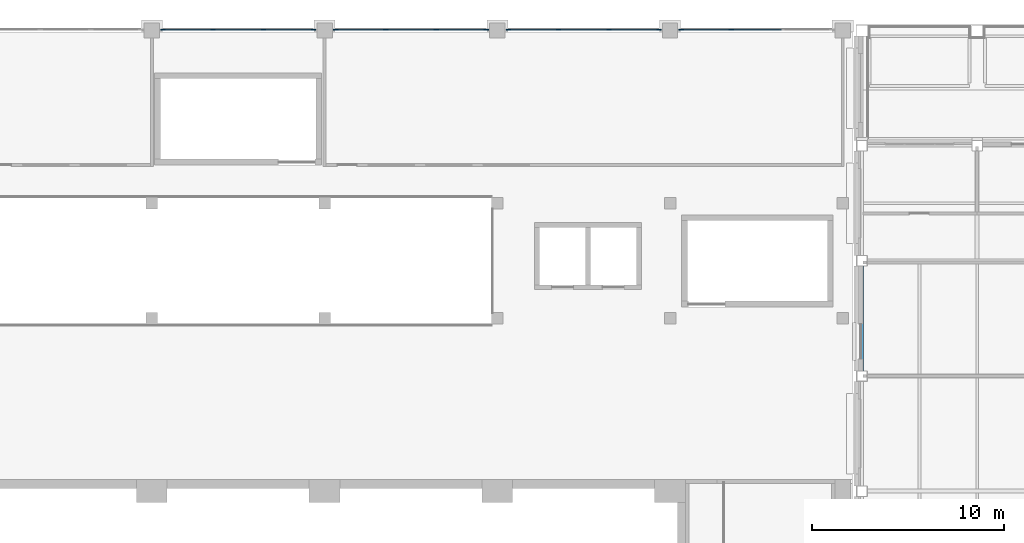
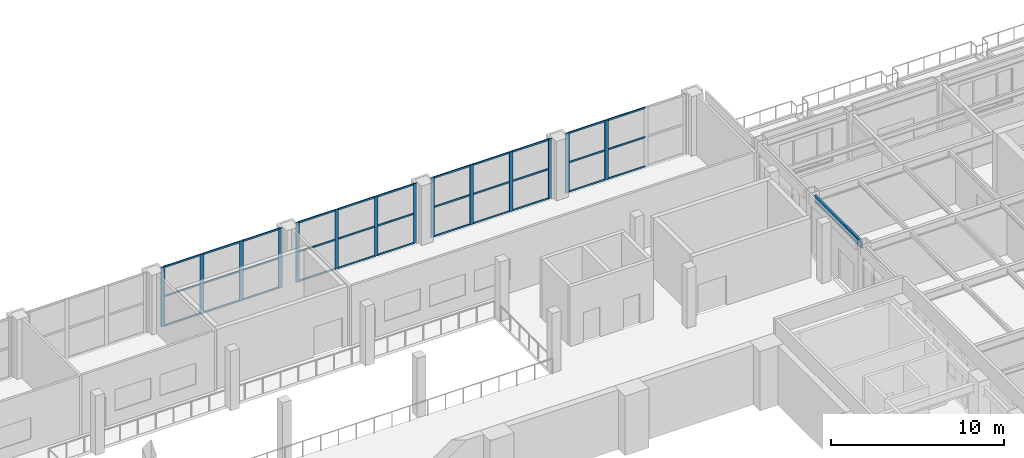
# One storey, part 8 of 39: 47 members, 1 beam, 4 elements without a shape of their own.
"""IFC4 building model written with IfcOpenShell, lengths in metres."""

from ifc_helpers import new_model, si_unit, direction, frame, origin, origin_2d, place, context, subcontext, project, spatial, rectangle, i_section, extrude, material, material_profile, profile_set, type_object, element, aggregate, save


model = new_model("IFC4")

# Units and contexts
model_context = context("Model", 3, precision=1e-05, world=origin(), true_north=direction((0.0, 1.0)))
body_context = subcontext(model_context, "Body", "Model", "MODEL_VIEW")
ifc_project = project(units=[si_unit("LENGTHUNIT", "METRE"), si_unit("AREAUNIT", "SQUARE_METRE"), si_unit("VOLUMEUNIT", "CUBIC_METRE"), si_unit("PLANEANGLEUNIT", "RADIAN"), si_unit("MASSUNIT", "GRAM", prefix="KILO")], contexts=[model_context])

# Site, building, storey
site_placement = place(None, origin())
site = spatial("IfcSite", under=ifc_project, at=site_placement, CompositionType="ELEMENT")
building_placement = place(site_placement, origin())
building = spatial("IfcBuilding", under=site, at=building_placement, Name="Aravalli Gate Trade Fair Centre", CompositionType="ELEMENT")
storey_placement = place(building_placement, frame((0.0, 0.0, 15.0)))
storey = spatial("IfcBuildingStorey", under=building, at=storey_placement, Name="L03", CompositionType="ELEMENT", Elevation=15.0)

# Curtain wall, members
ifc_material_1 = material(Name="Aluminium and glass", Category="aluminium")
curtain_wall_type = type_object("IfcCurtainWallType", Name="Curtain wall 3000 module, tall", PredefinedType="NOTDEFINED", material=ifc_material_1)
curtain_wall_1_placement = place(storey_placement, origin())
curtain_wall_1 = element("IfcCurtainWall", 1, at=curtain_wall_1_placement, inside=storey, type_object=curtain_wall_type, Name="Curtain wall north bay 15 L03", PredefinedType="NOTDEFINED")
ifc_material_2 = material(Name="Aluminium", Category="aluminium")
ifc_material_profile_1 = material_profile(ifc_material_2, rectangle(XDim=0.06005859375, YDim=0.25, at=origin_2d()), Name="Concourse curtain wall mullion 60 x 250")
ifc_profile_set_1 = profile_set([ifc_material_profile_1], Name="Aluminium")
member_type_1 = type_object("IfcMemberType", Name="Concourse curtain wall mullion 60 x 250", PredefinedType="MULLION", material=ifc_profile_set_1)
member_1_placement = place(storey_placement, frame((123.580078125, 133.044921875, 0.0), z_axis=(0.0, 0.0, 1.0), x_axis=(0.0, 1.0, 0.0)))
member_1 = element("IfcMember", 2, at=member_1_placement, type_object=member_type_1, Name="CW3 mullion 1", PredefinedType="MULLION", context=body_context, shape_type="SweptSolid", body=[
    extrude(rectangle(XDim=0.06005859375, YDim=0.25, at=origin_2d()), origin(), (0.0, 0.0, 1.0), 4.199951171875),
])
member_2_placement = place(storey_placement, frame((126.183349609375, 133.044921875, 0.0), z_axis=(0.0, 0.0, 1.0), x_axis=(0.0, 1.0, 0.0)))
member_2 = element("IfcMember", 3, at=member_2_placement, type_object=member_type_1, Name="CW3 mullion 2", PredefinedType="MULLION", context=body_context, shape_type="SweptSolid", body=[
    extrude(rectangle(XDim=0.06005859375, YDim=0.25, at=origin_2d()), origin(), (0.0, 0.0, 1.0), 4.199951171875),
])
member_3_placement = place(storey_placement, frame((128.816650390625, 133.044921875, 0.0), z_axis=(0.0, 0.0, 1.0), x_axis=(0.0, 1.0, 0.0)))
member_3 = element("IfcMember", 4, at=member_3_placement, type_object=member_type_1, Name="CW3 mullion 3", PredefinedType="MULLION", context=body_context, shape_type="SweptSolid", body=[
    extrude(rectangle(XDim=0.06005859375, YDim=0.25, at=origin_2d()), origin(), (0.0, 0.0, 1.0), 4.199951171875),
])
member_4_placement = place(storey_placement, frame((131.419921875, 133.044921875, 0.0), z_axis=(0.0, 0.0, 1.0), x_axis=(0.0, 1.0, 0.0)))
member_4 = element("IfcMember", 5, at=member_4_placement, type_object=member_type_1, Name="CW3 mullion 4", PredefinedType="MULLION", context=body_context, shape_type="SweptSolid", body=[
    extrude(rectangle(XDim=0.06005859375, YDim=0.25, at=origin_2d()), origin(), (0.0, 0.0, 1.0), 4.199951171875),
])

curtain_wall_2_placement = place(storey_placement, origin())
curtain_wall_2 = element("IfcCurtainWall", 6, at=curtain_wall_2_placement, inside=storey, type_object=curtain_wall_type, Name="Curtain wall north bay 16 L03", PredefinedType="NOTDEFINED")
member_5_placement = place(storey_placement, frame((132.580078125, 133.044921875, 0.0), z_axis=(0.0, 0.0, 1.0), x_axis=(0.0, 1.0, 0.0)))
member_5 = element("IfcMember", 7, at=member_5_placement, type_object=member_type_1, Name="CW3 mullion 1", PredefinedType="MULLION", context=body_context, shape_type="SweptSolid", body=[
    extrude(rectangle(XDim=0.06005859375, YDim=0.25, at=origin_2d()), origin(), (0.0, 0.0, 1.0), 4.199951171875),
])
member_6_placement = place(storey_placement, frame((135.183349609375, 133.044921875, 0.0), z_axis=(0.0, 0.0, 1.0), x_axis=(0.0, 1.0, 0.0)))
member_6 = element("IfcMember", 8, at=member_6_placement, type_object=member_type_1, Name="CW3 mullion 2", PredefinedType="MULLION", context=body_context, shape_type="SweptSolid", body=[
    extrude(rectangle(XDim=0.06005859375, YDim=0.25, at=origin_2d()), origin(), (0.0, 0.0, 1.0), 4.199951171875),
])
member_7_placement = place(storey_placement, frame((137.816650390625, 133.044921875, 0.0), z_axis=(0.0, 0.0, 1.0), x_axis=(0.0, 1.0, 0.0)))
member_7 = element("IfcMember", 9, at=member_7_placement, type_object=member_type_1, Name="CW3 mullion 3", PredefinedType="MULLION", context=body_context, shape_type="SweptSolid", body=[
    extrude(rectangle(XDim=0.06005859375, YDim=0.25, at=origin_2d()), origin(), (0.0, 0.0, 1.0), 4.199951171875),
])
member_8_placement = place(storey_placement, frame((140.419921875, 133.044921875, 0.0), z_axis=(0.0, 0.0, 1.0), x_axis=(0.0, 1.0, 0.0)))
member_8 = element("IfcMember", 10, at=member_8_placement, type_object=member_type_1, Name="CW3 mullion 4", PredefinedType="MULLION", context=body_context, shape_type="SweptSolid", body=[
    extrude(rectangle(XDim=0.06005859375, YDim=0.25, at=origin_2d()), origin(), (0.0, 0.0, 1.0), 4.199951171875),
])

curtain_wall_3_placement = place(storey_placement, origin())
curtain_wall_3 = element("IfcCurtainWall", 11, at=curtain_wall_3_placement, inside=storey, type_object=curtain_wall_type, Name="Curtain wall north bay 17 L03", PredefinedType="NOTDEFINED")
member_9_placement = place(storey_placement, frame((141.580078125, 133.044921875, 0.0), z_axis=(0.0, 0.0, 1.0), x_axis=(0.0, 1.0, 0.0)))
member_9 = element("IfcMember", 12, at=member_9_placement, type_object=member_type_1, Name="CW3 mullion 1", PredefinedType="MULLION", context=body_context, shape_type="SweptSolid", body=[
    extrude(rectangle(XDim=0.06005859375, YDim=0.25, at=origin_2d()), origin(), (0.0, 0.0, 1.0), 4.199951171875),
])
member_10_placement = place(storey_placement, frame((144.183349609375, 133.044921875, 0.0), z_axis=(0.0, 0.0, 1.0), x_axis=(0.0, 1.0, 0.0)))
member_10 = element("IfcMember", 13, at=member_10_placement, type_object=member_type_1, Name="CW3 mullion 2", PredefinedType="MULLION", context=body_context, shape_type="SweptSolid", body=[
    extrude(rectangle(XDim=0.06005859375, YDim=0.25, at=origin_2d()), origin(), (0.0, 0.0, 1.0), 4.199951171875),
])
member_11_placement = place(storey_placement, frame((146.816650390625, 133.044921875, 0.0), z_axis=(0.0, 0.0, 1.0), x_axis=(0.0, 1.0, 0.0)))
member_11 = element("IfcMember", 14, at=member_11_placement, type_object=member_type_1, Name="CW3 mullion 3", PredefinedType="MULLION", context=body_context, shape_type="SweptSolid", body=[
    extrude(rectangle(XDim=0.06005859375, YDim=0.25, at=origin_2d()), origin(), (0.0, 0.0, 1.0), 4.199951171875),
])
member_12_placement = place(storey_placement, frame((149.419921875, 133.044921875, 0.0), z_axis=(0.0, 0.0, 1.0), x_axis=(0.0, 1.0, 0.0)))
member_12 = element("IfcMember", 15, at=member_12_placement, type_object=member_type_1, Name="CW3 mullion 4", PredefinedType="MULLION", context=body_context, shape_type="SweptSolid", body=[
    extrude(rectangle(XDim=0.06005859375, YDim=0.25, at=origin_2d()), origin(), (0.0, 0.0, 1.0), 4.199951171875),
])

curtain_wall_4_placement = place(storey_placement, origin())
curtain_wall_4 = element("IfcCurtainWall", 16, at=curtain_wall_4_placement, inside=storey, type_object=curtain_wall_type, Name="Curtain wall north bay 18 L03", PredefinedType="NOTDEFINED")
member_13_placement = place(storey_placement, frame((150.580078125, 133.044921875, 0.0), z_axis=(0.0, 0.0, 1.0), x_axis=(0.0, 1.0, 0.0)))
member_13 = element("IfcMember", 17, at=member_13_placement, type_object=member_type_1, Name="CW3 mullion 1", PredefinedType="MULLION", context=body_context, shape_type="SweptSolid", body=[
    extrude(rectangle(XDim=0.06005859375, YDim=0.25, at=origin_2d()), origin(), (0.0, 0.0, 1.0), 4.199951171875),
])
member_14_placement = place(storey_placement, frame((153.183349609375, 133.044921875, 0.0), z_axis=(0.0, 0.0, 1.0), x_axis=(0.0, 1.0, 0.0)))
member_14 = element("IfcMember", 18, at=member_14_placement, type_object=member_type_1, Name="CW3 mullion 2", PredefinedType="MULLION", context=body_context, shape_type="SweptSolid", body=[
    extrude(rectangle(XDim=0.06005859375, YDim=0.25, at=origin_2d()), origin(), (0.0, 0.0, 1.0), 4.199951171875),
])

# Member
ifc_material_profile_2 = material_profile(ifc_material_2, rectangle(XDim=0.06005859375, YDim=0.1201171875, at=origin_2d()), Name="Concourse curtain wall transom 60 x 120")
ifc_profile_set_2 = profile_set([ifc_material_profile_2], Name="Aluminium")
member_type_2 = type_object("IfcMemberType", Name="Concourse curtain wall transom 60 x 120", PredefinedType="USERDEFINED", material=ifc_profile_set_2)
member_15_placement = place(storey_placement, frame((123.610107421875, 133.044921875, 0.030029296875), z_axis=(1.0, 0.0, 0.0), x_axis=(0.0, 1.0, 0.0)))
member_15 = element("IfcMember", 19, at=member_15_placement, type_object=member_type_2, Name="CW3 transom 1.1", ObjectType="TRANSOM", PredefinedType="USERDEFINED", context=body_context, shape_type="SweptSolid", body=[
    extrude(rectangle(XDim=0.06005859375, YDim=0.1201171875, at=origin_2d()), origin(), (0.0, 0.0, 1.0), 2.543212890625),
])

member_16_placement = place(storey_placement, frame((123.610107421875, 133.044921875, 2.10009765625), z_axis=(1.0, 0.0, 0.0), x_axis=(0.0, 1.0, 0.0)))
member_16 = element("IfcMember", 20, at=member_16_placement, type_object=member_type_2, Name="CW3 transom 1.2", ObjectType="TRANSOM", PredefinedType="USERDEFINED", context=body_context, shape_type="SweptSolid", body=[
    extrude(rectangle(XDim=0.06005859375, YDim=0.1201171875, at=origin_2d()), origin(), (0.0, 0.0, 1.0), 2.543212890625),
])

member_17_placement = place(storey_placement, frame((123.610107421875, 133.044921875, 4.169921875), z_axis=(1.0, 0.0, 0.0), x_axis=(0.0, 1.0, 0.0)))
member_17 = element("IfcMember", 21, at=member_17_placement, type_object=member_type_2, Name="CW3 transom 1.3", ObjectType="TRANSOM", PredefinedType="USERDEFINED", context=body_context, shape_type="SweptSolid", body=[
    extrude(rectangle(XDim=0.06005859375, YDim=0.1201171875, at=origin_2d()), origin(), (0.0, 0.0, 1.0), 2.543212890625),
])

member_18_placement = place(storey_placement, frame((126.21337890625, 133.044921875, 0.030029296875), z_axis=(1.0, 0.0, 0.0), x_axis=(0.0, 1.0, 0.0)))
member_18 = element("IfcMember", 22, at=member_18_placement, type_object=member_type_2, Name="CW3 transom 2.1", ObjectType="TRANSOM", PredefinedType="USERDEFINED", context=body_context, shape_type="SweptSolid", body=[
    extrude(rectangle(XDim=0.06005859375, YDim=0.1201171875, at=origin_2d()), origin(), (0.0, 0.0, 1.0), 2.5732421875),
])

member_19_placement = place(storey_placement, frame((126.21337890625, 133.044921875, 2.10009765625), z_axis=(1.0, 0.0, 0.0), x_axis=(0.0, 1.0, 0.0)))
member_19 = element("IfcMember", 23, at=member_19_placement, type_object=member_type_2, Name="CW3 transom 2.2", ObjectType="TRANSOM", PredefinedType="USERDEFINED", context=body_context, shape_type="SweptSolid", body=[
    extrude(rectangle(XDim=0.06005859375, YDim=0.1201171875, at=origin_2d()), origin(), (0.0, 0.0, 1.0), 2.5732421875),
])

member_20_placement = place(storey_placement, frame((126.21337890625, 133.044921875, 4.169921875), z_axis=(1.0, 0.0, 0.0), x_axis=(0.0, 1.0, 0.0)))
member_20 = element("IfcMember", 24, at=member_20_placement, type_object=member_type_2, Name="CW3 transom 2.3", ObjectType="TRANSOM", PredefinedType="USERDEFINED", context=body_context, shape_type="SweptSolid", body=[
    extrude(rectangle(XDim=0.06005859375, YDim=0.1201171875, at=origin_2d()), origin(), (0.0, 0.0, 1.0), 2.5732421875),
])

member_21_placement = place(storey_placement, frame((128.8466796875, 133.044921875, 0.030029296875), z_axis=(1.0, 0.0, 0.0), x_axis=(0.0, 1.0, 0.0)))
member_21 = element("IfcMember", 25, at=member_21_placement, type_object=member_type_2, Name="CW3 transom 3.1", ObjectType="TRANSOM", PredefinedType="USERDEFINED", context=body_context, shape_type="SweptSolid", body=[
    extrude(rectangle(XDim=0.06005859375, YDim=0.1201171875, at=origin_2d()), origin(), (0.0, 0.0, 1.0), 2.543212890625),
])

member_22_placement = place(storey_placement, frame((128.8466796875, 133.044921875, 2.10009765625), z_axis=(1.0, 0.0, 0.0), x_axis=(0.0, 1.0, 0.0)))
member_22 = element("IfcMember", 26, at=member_22_placement, type_object=member_type_2, Name="CW3 transom 3.2", ObjectType="TRANSOM", PredefinedType="USERDEFINED", context=body_context, shape_type="SweptSolid", body=[
    extrude(rectangle(XDim=0.06005859375, YDim=0.1201171875, at=origin_2d()), origin(), (0.0, 0.0, 1.0), 2.543212890625),
])

member_23_placement = place(storey_placement, frame((128.8466796875, 133.044921875, 4.169921875), z_axis=(1.0, 0.0, 0.0), x_axis=(0.0, 1.0, 0.0)))
member_23 = element("IfcMember", 27, at=member_23_placement, type_object=member_type_2, Name="CW3 transom 3.3", ObjectType="TRANSOM", PredefinedType="USERDEFINED", context=body_context, shape_type="SweptSolid", body=[
    extrude(rectangle(XDim=0.06005859375, YDim=0.1201171875, at=origin_2d()), origin(), (0.0, 0.0, 1.0), 2.543212890625),
])

aggregate(curtain_wall_1, [member_1, member_2, member_3, member_4, member_15, member_16, member_17, member_18, member_19, member_20, member_21, member_22, member_23])

member_24_placement = place(storey_placement, frame((132.610107421875, 133.044921875, 0.030029296875), z_axis=(1.0, 0.0, 0.0), x_axis=(0.0, 1.0, 0.0)))
member_24 = element("IfcMember", 28, at=member_24_placement, type_object=member_type_2, Name="CW3 transom 1.1", ObjectType="TRANSOM", PredefinedType="USERDEFINED", context=body_context, shape_type="SweptSolid", body=[
    extrude(rectangle(XDim=0.06005859375, YDim=0.1201171875, at=origin_2d()), origin(), (0.0, 0.0, 1.0), 2.543212890625),
])

member_25_placement = place(storey_placement, frame((132.610107421875, 133.044921875, 2.10009765625), z_axis=(1.0, 0.0, 0.0), x_axis=(0.0, 1.0, 0.0)))
member_25 = element("IfcMember", 29, at=member_25_placement, type_object=member_type_2, Name="CW3 transom 1.2", ObjectType="TRANSOM", PredefinedType="USERDEFINED", context=body_context, shape_type="SweptSolid", body=[
    extrude(rectangle(XDim=0.06005859375, YDim=0.1201171875, at=origin_2d()), origin(), (0.0, 0.0, 1.0), 2.543212890625),
])

member_26_placement = place(storey_placement, frame((132.610107421875, 133.044921875, 4.169921875), z_axis=(1.0, 0.0, 0.0), x_axis=(0.0, 1.0, 0.0)))
member_26 = element("IfcMember", 30, at=member_26_placement, type_object=member_type_2, Name="CW3 transom 1.3", ObjectType="TRANSOM", PredefinedType="USERDEFINED", context=body_context, shape_type="SweptSolid", body=[
    extrude(rectangle(XDim=0.06005859375, YDim=0.1201171875, at=origin_2d()), origin(), (0.0, 0.0, 1.0), 2.543212890625),
])

member_27_placement = place(storey_placement, frame((135.21337890625, 133.044921875, 0.030029296875), z_axis=(1.0, 0.0, 0.0), x_axis=(0.0, 1.0, 0.0)))
member_27 = element("IfcMember", 31, at=member_27_placement, type_object=member_type_2, Name="CW3 transom 2.1", ObjectType="TRANSOM", PredefinedType="USERDEFINED", context=body_context, shape_type="SweptSolid", body=[
    extrude(rectangle(XDim=0.06005859375, YDim=0.1201171875, at=origin_2d()), origin(), (0.0, 0.0, 1.0), 2.5732421875),
])

member_28_placement = place(storey_placement, frame((135.21337890625, 133.044921875, 2.10009765625), z_axis=(1.0, 0.0, 0.0), x_axis=(0.0, 1.0, 0.0)))
member_28 = element("IfcMember", 32, at=member_28_placement, type_object=member_type_2, Name="CW3 transom 2.2", ObjectType="TRANSOM", PredefinedType="USERDEFINED", context=body_context, shape_type="SweptSolid", body=[
    extrude(rectangle(XDim=0.06005859375, YDim=0.1201171875, at=origin_2d()), origin(), (0.0, 0.0, 1.0), 2.5732421875),
])

member_29_placement = place(storey_placement, frame((135.21337890625, 133.044921875, 4.169921875), z_axis=(1.0, 0.0, 0.0), x_axis=(0.0, 1.0, 0.0)))
member_29 = element("IfcMember", 33, at=member_29_placement, type_object=member_type_2, Name="CW3 transom 2.3", ObjectType="TRANSOM", PredefinedType="USERDEFINED", context=body_context, shape_type="SweptSolid", body=[
    extrude(rectangle(XDim=0.06005859375, YDim=0.1201171875, at=origin_2d()), origin(), (0.0, 0.0, 1.0), 2.5732421875),
])

member_30_placement = place(storey_placement, frame((137.8466796875, 133.044921875, 0.030029296875), z_axis=(1.0, 0.0, 0.0), x_axis=(0.0, 1.0, 0.0)))
member_30 = element("IfcMember", 34, at=member_30_placement, type_object=member_type_2, Name="CW3 transom 3.1", ObjectType="TRANSOM", PredefinedType="USERDEFINED", context=body_context, shape_type="SweptSolid", body=[
    extrude(rectangle(XDim=0.06005859375, YDim=0.1201171875, at=origin_2d()), origin(), (0.0, 0.0, 1.0), 2.543212890625),
])

member_31_placement = place(storey_placement, frame((137.8466796875, 133.044921875, 2.10009765625), z_axis=(1.0, 0.0, 0.0), x_axis=(0.0, 1.0, 0.0)))
member_31 = element("IfcMember", 35, at=member_31_placement, type_object=member_type_2, Name="CW3 transom 3.2", ObjectType="TRANSOM", PredefinedType="USERDEFINED", context=body_context, shape_type="SweptSolid", body=[
    extrude(rectangle(XDim=0.06005859375, YDim=0.1201171875, at=origin_2d()), origin(), (0.0, 0.0, 1.0), 2.543212890625),
])

member_32_placement = place(storey_placement, frame((137.8466796875, 133.044921875, 4.169921875), z_axis=(1.0, 0.0, 0.0), x_axis=(0.0, 1.0, 0.0)))
member_32 = element("IfcMember", 36, at=member_32_placement, type_object=member_type_2, Name="CW3 transom 3.3", ObjectType="TRANSOM", PredefinedType="USERDEFINED", context=body_context, shape_type="SweptSolid", body=[
    extrude(rectangle(XDim=0.06005859375, YDim=0.1201171875, at=origin_2d()), origin(), (0.0, 0.0, 1.0), 2.543212890625),
])

aggregate(curtain_wall_2, [member_5, member_6, member_7, member_8, member_24, member_25, member_26, member_27, member_28, member_29, member_30, member_31, member_32])

member_33_placement = place(storey_placement, frame((141.610107421875, 133.044921875, 0.030029296875), z_axis=(1.0, 0.0, 0.0), x_axis=(0.0, 1.0, 0.0)))
member_33 = element("IfcMember", 37, at=member_33_placement, type_object=member_type_2, Name="CW3 transom 1.1", ObjectType="TRANSOM", PredefinedType="USERDEFINED", context=body_context, shape_type="SweptSolid", body=[
    extrude(rectangle(XDim=0.06005859375, YDim=0.1201171875, at=origin_2d()), origin(), (0.0, 0.0, 1.0), 2.543212890625),
])

member_34_placement = place(storey_placement, frame((141.610107421875, 133.044921875, 2.10009765625), z_axis=(1.0, 0.0, 0.0), x_axis=(0.0, 1.0, 0.0)))
member_34 = element("IfcMember", 38, at=member_34_placement, type_object=member_type_2, Name="CW3 transom 1.2", ObjectType="TRANSOM", PredefinedType="USERDEFINED", context=body_context, shape_type="SweptSolid", body=[
    extrude(rectangle(XDim=0.06005859375, YDim=0.1201171875, at=origin_2d()), origin(), (0.0, 0.0, 1.0), 2.543212890625),
])

member_35_placement = place(storey_placement, frame((141.610107421875, 133.044921875, 4.169921875), z_axis=(1.0, 0.0, 0.0), x_axis=(0.0, 1.0, 0.0)))
member_35 = element("IfcMember", 39, at=member_35_placement, type_object=member_type_2, Name="CW3 transom 1.3", ObjectType="TRANSOM", PredefinedType="USERDEFINED", context=body_context, shape_type="SweptSolid", body=[
    extrude(rectangle(XDim=0.06005859375, YDim=0.1201171875, at=origin_2d()), origin(), (0.0, 0.0, 1.0), 2.543212890625),
])

member_36_placement = place(storey_placement, frame((144.21337890625, 133.044921875, 0.030029296875), z_axis=(1.0, 0.0, 0.0), x_axis=(0.0, 1.0, 0.0)))
member_36 = element("IfcMember", 40, at=member_36_placement, type_object=member_type_2, Name="CW3 transom 2.1", ObjectType="TRANSOM", PredefinedType="USERDEFINED", context=body_context, shape_type="SweptSolid", body=[
    extrude(rectangle(XDim=0.06005859375, YDim=0.1201171875, at=origin_2d()), origin(), (0.0, 0.0, 1.0), 2.5732421875),
])

member_37_placement = place(storey_placement, frame((144.21337890625, 133.044921875, 2.10009765625), z_axis=(1.0, 0.0, 0.0), x_axis=(0.0, 1.0, 0.0)))
member_37 = element("IfcMember", 41, at=member_37_placement, type_object=member_type_2, Name="CW3 transom 2.2", ObjectType="TRANSOM", PredefinedType="USERDEFINED", context=body_context, shape_type="SweptSolid", body=[
    extrude(rectangle(XDim=0.06005859375, YDim=0.1201171875, at=origin_2d()), origin(), (0.0, 0.0, 1.0), 2.5732421875),
])

member_38_placement = place(storey_placement, frame((144.21337890625, 133.044921875, 4.169921875), z_axis=(1.0, 0.0, 0.0), x_axis=(0.0, 1.0, 0.0)))
member_38 = element("IfcMember", 42, at=member_38_placement, type_object=member_type_2, Name="CW3 transom 2.3", ObjectType="TRANSOM", PredefinedType="USERDEFINED", context=body_context, shape_type="SweptSolid", body=[
    extrude(rectangle(XDim=0.06005859375, YDim=0.1201171875, at=origin_2d()), origin(), (0.0, 0.0, 1.0), 2.5732421875),
])

member_39_placement = place(storey_placement, frame((146.8466796875, 133.044921875, 0.030029296875), z_axis=(1.0, 0.0, 0.0), x_axis=(0.0, 1.0, 0.0)))
member_39 = element("IfcMember", 43, at=member_39_placement, type_object=member_type_2, Name="CW3 transom 3.1", ObjectType="TRANSOM", PredefinedType="USERDEFINED", context=body_context, shape_type="SweptSolid", body=[
    extrude(rectangle(XDim=0.06005859375, YDim=0.1201171875, at=origin_2d()), origin(), (0.0, 0.0, 1.0), 2.543212890625),
])

member_40_placement = place(storey_placement, frame((146.8466796875, 133.044921875, 2.10009765625), z_axis=(1.0, 0.0, 0.0), x_axis=(0.0, 1.0, 0.0)))
member_40 = element("IfcMember", 44, at=member_40_placement, type_object=member_type_2, Name="CW3 transom 3.2", ObjectType="TRANSOM", PredefinedType="USERDEFINED", context=body_context, shape_type="SweptSolid", body=[
    extrude(rectangle(XDim=0.06005859375, YDim=0.1201171875, at=origin_2d()), origin(), (0.0, 0.0, 1.0), 2.543212890625),
])

member_41_placement = place(storey_placement, frame((146.8466796875, 133.044921875, 4.169921875), z_axis=(1.0, 0.0, 0.0), x_axis=(0.0, 1.0, 0.0)))
member_41 = element("IfcMember", 45, at=member_41_placement, type_object=member_type_2, Name="CW3 transom 3.3", ObjectType="TRANSOM", PredefinedType="USERDEFINED", context=body_context, shape_type="SweptSolid", body=[
    extrude(rectangle(XDim=0.06005859375, YDim=0.1201171875, at=origin_2d()), origin(), (0.0, 0.0, 1.0), 2.543212890625),
])

aggregate(curtain_wall_3, [member_9, member_10, member_11, member_12, member_33, member_34, member_35, member_36, member_37, member_38, member_39, member_40, member_41])

member_42_placement = place(storey_placement, frame((150.610107421875, 133.044921875, 0.030029296875), z_axis=(1.0, 0.0, 0.0), x_axis=(0.0, 1.0, 0.0)))
member_42 = element("IfcMember", 46, at=member_42_placement, type_object=member_type_2, Name="CW3 transom 1.1", ObjectType="TRANSOM", PredefinedType="USERDEFINED", context=body_context, shape_type="SweptSolid", body=[
    extrude(rectangle(XDim=0.06005859375, YDim=0.1201171875, at=origin_2d()), origin(), (0.0, 0.0, 1.0), 2.543212890625),
])

member_43_placement = place(storey_placement, frame((150.610107421875, 133.044921875, 2.10009765625), z_axis=(1.0, 0.0, 0.0), x_axis=(0.0, 1.0, 0.0)))
member_43 = element("IfcMember", 47, at=member_43_placement, type_object=member_type_2, Name="CW3 transom 1.2", ObjectType="TRANSOM", PredefinedType="USERDEFINED", context=body_context, shape_type="SweptSolid", body=[
    extrude(rectangle(XDim=0.06005859375, YDim=0.1201171875, at=origin_2d()), origin(), (0.0, 0.0, 1.0), 2.543212890625),
])

member_44_placement = place(storey_placement, frame((150.610107421875, 133.044921875, 4.169921875), z_axis=(1.0, 0.0, 0.0), x_axis=(0.0, 1.0, 0.0)))
member_44 = element("IfcMember", 48, at=member_44_placement, type_object=member_type_2, Name="CW3 transom 1.3", ObjectType="TRANSOM", PredefinedType="USERDEFINED", context=body_context, shape_type="SweptSolid", body=[
    extrude(rectangle(XDim=0.06005859375, YDim=0.1201171875, at=origin_2d()), origin(), (0.0, 0.0, 1.0), 2.543212890625),
])

member_45_placement = place(storey_placement, frame((153.21337890625, 133.044921875, 0.030029296875), z_axis=(1.0, 0.0, 0.0), x_axis=(0.0, 1.0, 0.0)))
member_45 = element("IfcMember", 49, at=member_45_placement, type_object=member_type_2, Name="CW3 transom 2.1", ObjectType="TRANSOM", PredefinedType="USERDEFINED", context=body_context, shape_type="SweptSolid", body=[
    extrude(rectangle(XDim=0.06005859375, YDim=0.1201171875, at=origin_2d()), origin(), (0.0, 0.0, 1.0), 2.5732421875),
])

member_46_placement = place(storey_placement, frame((153.21337890625, 133.044921875, 2.10009765625), z_axis=(1.0, 0.0, 0.0), x_axis=(0.0, 1.0, 0.0)))
member_46 = element("IfcMember", 50, at=member_46_placement, type_object=member_type_2, Name="CW3 transom 2.2", ObjectType="TRANSOM", PredefinedType="USERDEFINED", context=body_context, shape_type="SweptSolid", body=[
    extrude(rectangle(XDim=0.06005859375, YDim=0.1201171875, at=origin_2d()), origin(), (0.0, 0.0, 1.0), 2.5732421875),
])

member_47_placement = place(storey_placement, frame((153.21337890625, 133.044921875, 4.169921875), z_axis=(1.0, 0.0, 0.0), x_axis=(0.0, 1.0, 0.0)))
member_47 = element("IfcMember", 51, at=member_47_placement, type_object=member_type_2, Name="CW3 transom 2.3", ObjectType="TRANSOM", PredefinedType="USERDEFINED", context=body_context, shape_type="SweptSolid", body=[
    extrude(rectangle(XDim=0.06005859375, YDim=0.1201171875, at=origin_2d()), origin(), (0.0, 0.0, 1.0), 2.5732421875),
])

aggregate(curtain_wall_4, [member_13, member_14, member_42, member_43, member_44, member_45, member_46, member_47])

# Beam
ifc_material_3 = material(Name="Steel E350", Category="steel")
ifc_material_profile_3 = material_profile(ifc_material_3, i_section(OverallWidth=0.14990234375, OverallDepth=0.449951171875, WebThickness=0.009521484375, FlangeThickness=0.017333984375, at=origin_2d()), Name="ISMB 450")
ifc_profile_set_3 = profile_set([ifc_material_profile_3], Name="Steel E350")
beam_type = type_object("IfcBeamType", Name="Wing perimeter beam ISMB 450 (office floors)", PredefinedType="BEAM", material=ifc_profile_set_3)
beam_placement = place(storey_placement, frame((160.0, 115.27490234375, 3.77490234375), z_axis=(0.0, 1.0, 0.0), x_axis=(-1.0, 0.0, 0.0)))
element("IfcBeam", 52, at=beam_placement, inside=storey, type_object=beam_type, Name="Perimeter beam EW4 L04", PredefinedType="BEAM", context=body_context, shape_type="SweptSolid", body=[
    extrude(i_section(OverallWidth=0.14990234375, OverallDepth=0.449951171875, WebThickness=0.009521484375, FlangeThickness=0.017333984375, at=origin_2d()), origin(), (0.0, 0.0, 1.0), 5.4501953125),
])

save(model, "model.ifc")
